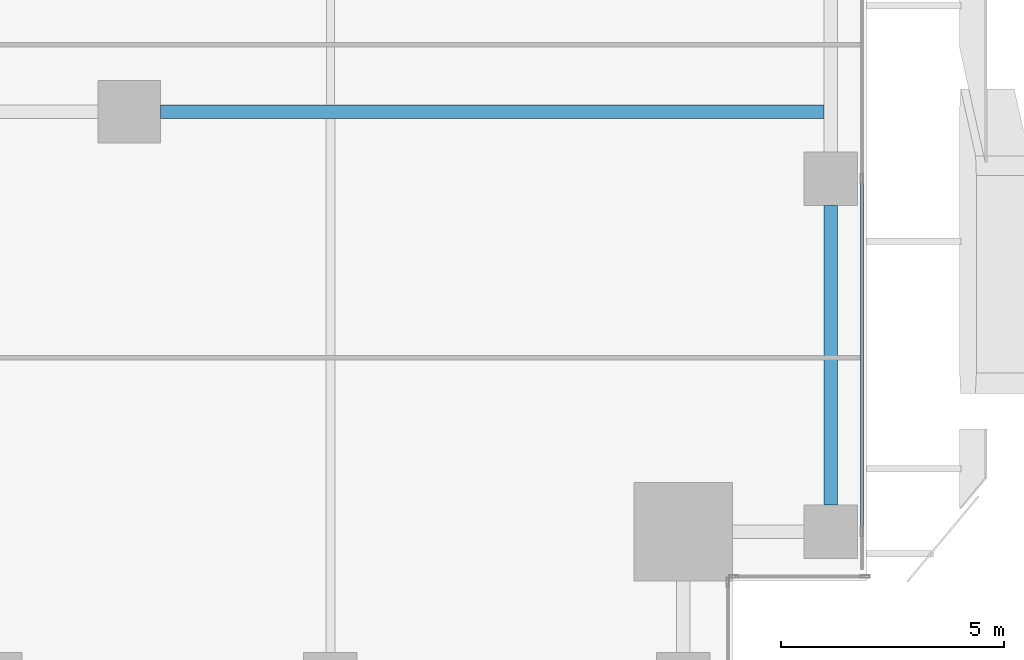
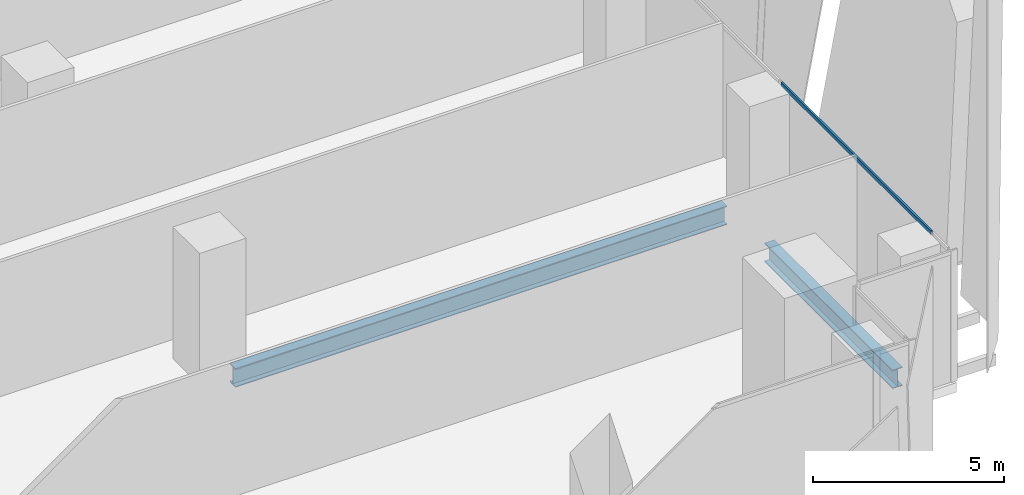
# One storey, part 10 of 37: 2 beams, 1 member, 1 element without a shape of its own.
"""IFC4 building model written with IfcOpenShell, lengths in metres."""

from ifc_helpers import new_model, si_unit, direction, frame, origin, origin_2d, place, context, subcontext, project, spatial, hollow_rectangle, i_section, extrude, source, transform, mapped, material, material_profile, profile_set, type_object, element, aggregate, save


model = new_model("IFC4")

# Units and contexts
model_context = context("Model", 3, precision=1e-05, world=origin(), true_north=direction((0.0, 1.0)))
body_context = subcontext(model_context, "Body", "Model", "MODEL_VIEW")
ifc_project = project(units=[si_unit("LENGTHUNIT", "METRE"), si_unit("AREAUNIT", "SQUARE_METRE"), si_unit("VOLUMEUNIT", "CUBIC_METRE"), si_unit("PLANEANGLEUNIT", "RADIAN"), si_unit("MASSUNIT", "GRAM", prefix="KILO")], contexts=[model_context])

# Site, building, storey
site_placement = place(None, origin())
site = spatial("IfcSite", under=ifc_project, at=site_placement, CompositionType="ELEMENT")
building_placement = place(site_placement, origin())
building = spatial("IfcBuilding", under=site, at=building_placement, Name="Khomas Fold Tower", CompositionType="ELEMENT")
storey_placement = place(building_placement, frame((0.0, 0.0, 60.0)))
storey = spatial("IfcBuildingStorey", under=building, at=storey_placement, Name="L12", CompositionType="ELEMENT", Elevation=60.0)

# Beams
ifc_material_1 = material(Name="Steel S355", Category="steel")
ifc_material_profile_1 = material_profile(ifc_material_1, i_section(OverallWidth=0.300048828125, OverallDepth=0.60009765625, WebThickness=0.015380859375, FlangeThickness=0.030029296875, at=origin_2d()), Name="HE 600 B")
ifc_profile_set_1 = profile_set([ifc_material_profile_1], Name="Steel S355")
beam_type_1 = type_object("IfcBeamType", Name="HE 600 B spandrel SB1", PredefinedType="SPANDREL", material=ifc_profile_set_1)
shared_shape_1 = source(origin(), body_context, "Body", "SweptSolid", [
    extrude(i_section(OverallWidth=0.300048828125, OverallDepth=0.60009765625, WebThickness=0.015380859375, FlangeThickness=0.030029296875, at=origin_2d()), origin(), (0.0, 0.0, 1.0), 6.699951171875),
])
beam_1_placement = place(storey_placement, frame((53.199951171875, 4.699951171875, -0.60009765625), z_axis=(0.0, 1.0, 0.0), x_axis=(-1.0, 0.0, 0.0)))
element("IfcBeam", 1, at=beam_1_placement, inside=storey, type_object=beam_type_1, Name="SB1", PredefinedType="SPANDREL", context=body_context, shape_type="MappedRepresentation", body=[
    mapped(shared_shape_1, transform((0.0, 0.0, 0.0))),
])
ifc_material_2 = material(Name="Steel S355", Category="steel")
ifc_material_profile_2 = material_profile(ifc_material_2, i_section(OverallWidth=0.300048828125, OverallDepth=0.60009765625, WebThickness=0.015380859375, FlangeThickness=0.030029296875, at=origin_2d()), Name="HE 600 B")
ifc_profile_set_2 = profile_set([ifc_material_profile_2], Name="Steel S355")
beam_type_2 = type_object("IfcBeamType", Name="HE 600 B beam GB5", PredefinedType="BEAM", material=ifc_profile_set_2)
shared_shape_2 = source(origin(), body_context, "Body", "SweptSolid", [
    extrude(i_section(OverallWidth=0.300048828125, OverallDepth=0.60009765625, WebThickness=0.015380859375, FlangeThickness=0.030029296875, at=origin_2d()), origin(), (0.0, 0.0, 1.0), 14.85009765625),
])
beam_2_placement = place(storey_placement, frame((38.199951171875, 13.5, -0.60009765625), z_axis=(1.0, 0.0, 0.0), x_axis=(0.0, 1.0, 0.0)))
element("IfcBeam", 2, at=beam_2_placement, inside=storey, type_object=beam_type_2, Name="GB5", PredefinedType="BEAM", context=body_context, shape_type="MappedRepresentation", body=[
    mapped(shared_shape_2, transform((0.0, 0.0, 0.0))),
])

# Curtain wall, member
ifc_material_3 = material(Name="Aluminium framed double glazing", Category="aluminium")
curtain_wall_type = type_object("IfcCurtainWallType", Name="SK-Unitised clear-glass wall, growing floors CW1", PredefinedType="NOTDEFINED", material=ifc_material_3)
curtain_wall_placement = place(storey_placement, origin())
curtain_wall = element("IfcCurtainWall", 3, at=curtain_wall_placement, inside=storey, type_object=curtain_wall_type, Name="CW1 run L12 03-0", PredefinedType="NOTDEFINED")
ifc_material_4 = material(Name="Aluminium", Category="aluminium")
ifc_material_profile_3 = material_profile(ifc_material_4, hollow_rectangle(XDim=0.06005859375, YDim=0.1201171875, WallThickness=0.00390625, at=origin_2d()), Name="SK-Unitised clear-glass wall, growing floors transom CW1-T")
ifc_profile_set_3 = profile_set([ifc_material_profile_3], Name="Aluminium")
member_type = type_object("IfcMemberType", Name="SK-Unitised clear-glass wall, growing floors transom CW1-T", PredefinedType="USERDEFINED", material=ifc_profile_set_3)
shared_shape_3 = source(origin(), body_context, "Body", "SweptSolid", [
    extrude(hollow_rectangle(XDim=0.06005859375, YDim=0.1201171875, WallThickness=0.00390625, at=origin_2d()), origin(), (0.0, 0.0, 1.0), 7.840087890625),
])
member_placement = place(storey_placement, frame((53.89990234375, 4.1298828125, 4.139892578125), z_axis=(0.0, 1.0, 0.0), x_axis=(-1.0, 0.0, 0.0)))
member = element("IfcMember", 4, at=member_placement, type_object=member_type, Name="CW1 transom 2", ObjectType="TRANSOM", PredefinedType="USERDEFINED", context=body_context, shape_type="MappedRepresentation", body=[
    mapped(shared_shape_3, transform((0.0, 0.0, 0.0))),
])
aggregate(curtain_wall, [member])

save(model, "model.ifc")
